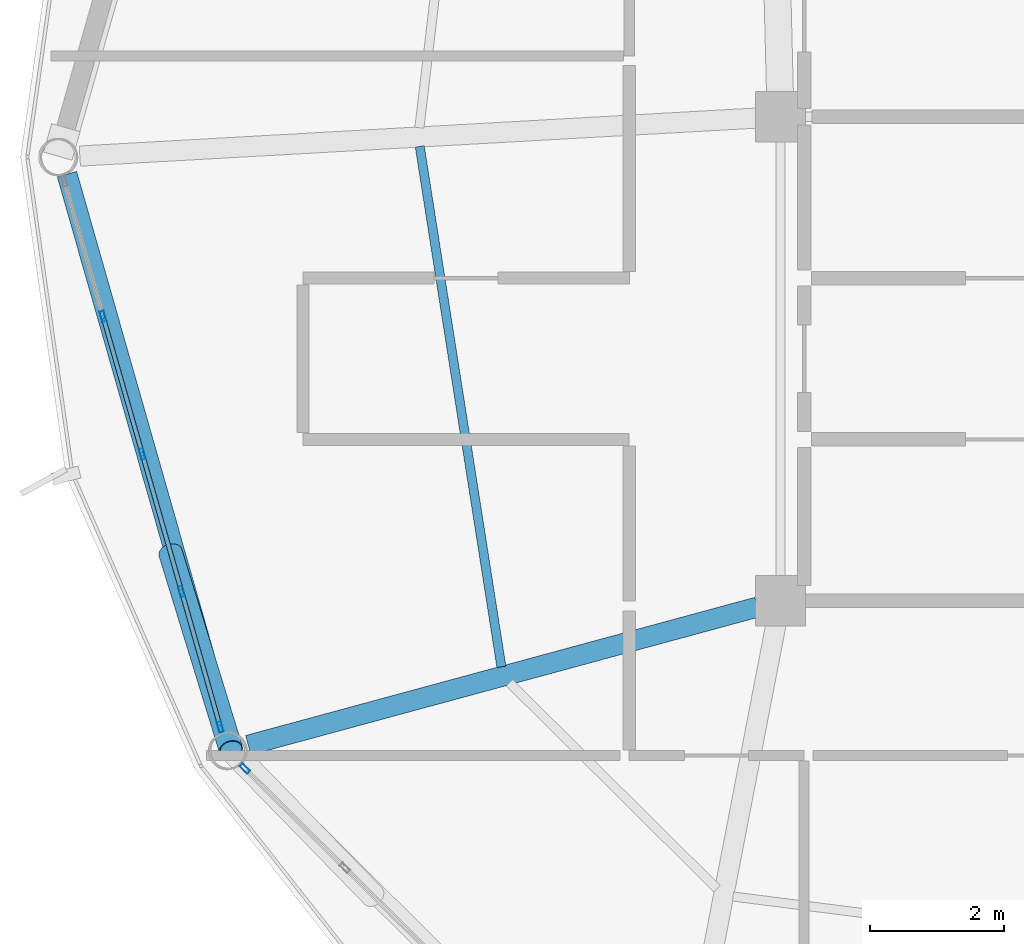
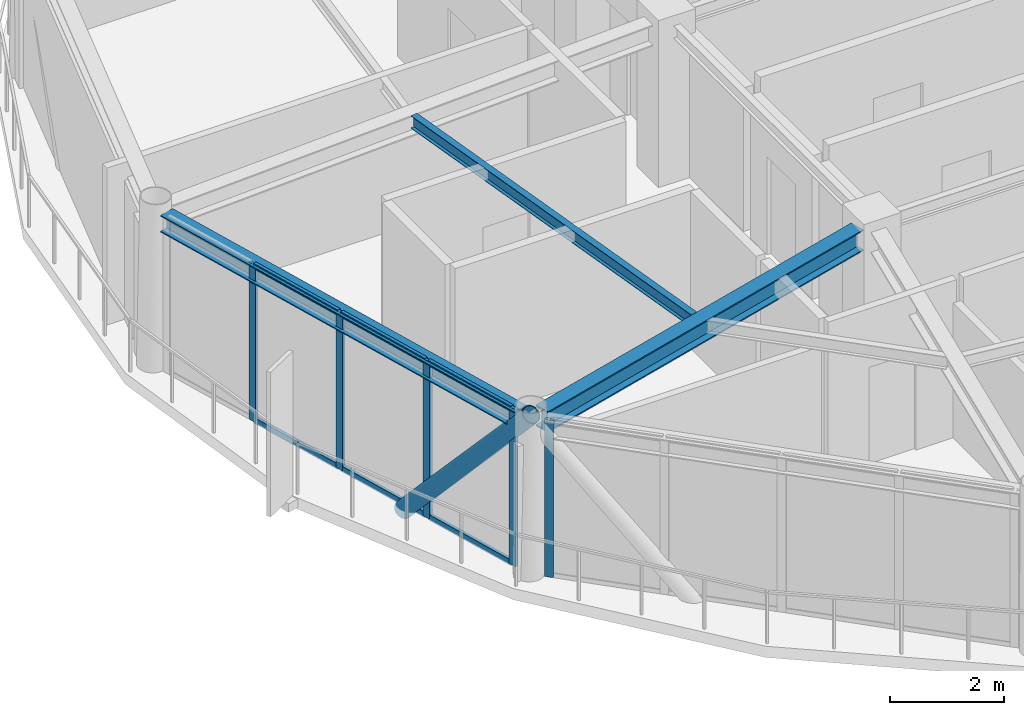
# One storey, part 4 of 25: 12 members, 3 beams, 2 elements without a shape of their own.
"""IFC4 building model written with IfcOpenShell, lengths in metres."""

from ifc_helpers import new_model, si_unit, direction, frame, origin, origin_2d, place, context, subcontext, project, spatial, hollow_rectangle, hollow_circle, i_section, extrude, material, layer, layer_set, material_profile, profile_set, type_object, element, aggregate, save


model = new_model("IFC4")

# Units and contexts
model_context = context("Model", 3, precision=1e-05, world=origin(), true_north=direction((0.0, 1.0)))
body_context = subcontext(model_context, "Body", "Model", "MODEL_VIEW")
ifc_project = project(units=[si_unit("LENGTHUNIT", "METRE"), si_unit("AREAUNIT", "SQUARE_METRE"), si_unit("VOLUMEUNIT", "CUBIC_METRE"), si_unit("PLANEANGLEUNIT", "RADIAN"), si_unit("MASSUNIT", "GRAM", prefix="KILO")], contexts=[model_context])

# Site, building, storey
site_placement = place(None, origin())
site = spatial("IfcSite", under=ifc_project, at=site_placement, CompositionType="ELEMENT")
building_placement = place(site_placement, origin())
building = spatial("IfcBuilding", under=site, at=building_placement, Name="Varnakorn Sky Granary", CompositionType="ELEMENT")
storey_placement = place(building_placement, frame((0.0, 0.0, 277.800048828125)))
storey = spatial("IfcBuildingStorey", under=building, at=storey_placement, Name="L71", CompositionType="ELEMENT", Elevation=277.800048828125)

# Beams
ifc_material_1 = material(Name="Steel S355JR", Category="steel")
ifc_material_profile_1 = material_profile(ifc_material_1, i_section(OverallWidth=0.300048828125, OverallDepth=0.449951171875, WebThickness=0.013916015625, FlangeThickness=0.02587890625, at=origin_2d()), Name="HE 450 B")
ifc_profile_set_1 = profile_set([ifc_material_profile_1], Name="Steel S355JR")
beam_type_1 = type_object("IfcBeamType", Name="BM-RAD-Z5", PredefinedType="BEAM", material=ifc_profile_set_1)
beam_1_placement = place(storey_placement, frame((-2.692626953125, -6.69287109375, 3.135009765625), z_axis=(-0.965124741935, -0.261790436237, 0.0), x_axis=(0.261790436237, -0.965124741935, 0.0)))
element("IfcBeam", 1, at=beam_1_placement, inside=storey, type_object=beam_type_1, Name="Radial Floor Girder RG08 L71", PredefinedType="BEAM", context=body_context, shape_type="SweptSolid", body=[
    extrude(i_section(OverallWidth=0.300048828125, OverallDepth=0.449951171875, WebThickness=0.013916015625, FlangeThickness=0.02587890625, at=origin_2d()), origin(), (0.0, 0.0, 1.0), 7.84765625),
])
ifc_material_profile_2 = material_profile(ifc_material_1, i_section(OverallWidth=0.135009765625, OverallDepth=0.27001953125, WebThickness=0.006591796875, FlangeThickness=0.01025390625, at=origin_2d()), Name="IPE 270")
ifc_profile_set_2 = profile_set([ifc_material_profile_2], Name="Steel S355JR")
beam_type_2 = type_object("IfcBeamType", Name="BM-SEC-Z5", PredefinedType="BEAM", material=ifc_profile_set_2)
beam_2_placement = place(storey_placement, frame((-7.7158203125, 0.1591796875, 3.224853515625), z_axis=(0.154978501589, -0.987917842761, 0.0), x_axis=(0.987917842761, 0.154978501589, 0.0)))
element("IfcBeam", 2, at=beam_2_placement, inside=storey, type_object=beam_type_2, Name="Secondary Floor Chord Beam MSB07 L71", PredefinedType="BEAM", context=body_context, shape_type="SweptSolid", body=[
    extrude(i_section(OverallWidth=0.135009765625, OverallDepth=0.27001953125, WebThickness=0.006591796875, FlangeThickness=0.01025390625, at=origin_2d()), origin(), (0.0, 0.0, 1.0), 7.835693359375),
])
ifc_material_profile_3 = material_profile(ifc_material_1, i_section(OverallWidth=0.300048828125, OverallDepth=0.360107421875, WebThickness=0.012451171875, FlangeThickness=0.0224609375, at=origin_2d()), Name="HE 360 B")
ifc_profile_set_3 = profile_set([ifc_material_profile_3], Name="Steel S355JR")
beam_type_3 = type_object("IfcBeamType", Name="BM-SPD-Z5", PredefinedType="SPANDREL", material=ifc_profile_set_3)
beam_3_placement = place(storey_placement, frame((-12.96240234375, -0.25439453125, 3.179931640625), z_axis=(0.274112641132, -0.961697592787, 0.0), x_axis=(0.961697592787, 0.274112641132, 0.0)))
element("IfcBeam", 3, at=beam_3_placement, inside=storey, type_object=beam_type_3, Name="Perimeter Spandrel Ring Beam RB07 L71", PredefinedType="SPANDREL", context=body_context, shape_type="SweptSolid", body=[
    extrude(i_section(OverallWidth=0.300048828125, OverallDepth=0.360107421875, WebThickness=0.012451171875, FlangeThickness=0.0224609375, at=origin_2d()), origin(), (0.0, 0.0, 1.0), 8.638427734375),
])

# Curtain wall, members
ifc_material_2 = material(Name="Anodised Bronze Aluminium Alloy 6063-T6", Category="aluminium")
ifc_layer = layer(ifc_material_2, 0.159912109375, Name="Anodised Bronze Aluminium Alloy 6063-T6")
ifc_layer_set = layer_set([ifc_layer], Name="Anodised Bronze Aluminium Alloy 6063-T6")
curtain_wall_type = type_object("IfcCurtainWallType", Name="CW-OFF-1", PredefinedType="USERDEFINED", material=ifc_layer_set)
curtain_wall_1_placement = place(storey_placement, origin())
curtain_wall_1 = element("IfcCurtainWall", 4, at=curtain_wall_1_placement, inside=storey, type_object=curtain_wall_type, Name="Unitised Curtain Wall CW6 CW-L71-B07", ObjectType="CURTAIN WALL", PredefinedType="USERDEFINED")
ifc_material_profile_4 = material_profile(ifc_material_2, hollow_rectangle(XDim=0.06494140625, YDim=0.159912109375, WallThickness=0.00341796875, at=origin_2d()), Name="ALU MULL 65x160")
ifc_profile_set_4 = profile_set([ifc_material_profile_4], Name="Anodised Bronze Aluminium Alloy 6063-T6")
member_type_1 = type_object("IfcMemberType", Name="CW-OFF-1-MULL", PredefinedType="MULLION", material=ifc_profile_set_4)
member_1_placement = place(storey_placement, frame((-10.682861328125, -8.475830078125, 0.0), z_axis=(0.0, 0.0, 1.0), x_axis=(-0.961570064627, -0.274559667128, 0.0)))
member_1 = element("IfcMember", 5, at=member_1_placement, type_object=member_type_1, Name="CW6 mullion 1", PredefinedType="MULLION", context=body_context, shape_type="SweptSolid", body=[
    extrude(hollow_rectangle(XDim=0.06494140625, YDim=0.159912109375, WallThickness=0.00341796875, at=origin_2d()), origin(), (0.0, 0.0, 1.0), 3.35986328125),
])
member_2_placement = place(storey_placement, frame((-11.258056640625, -6.4619140625, 0.0), z_axis=(0.0, 0.0, 1.0), x_axis=(-0.961570064627, -0.274559667128, 0.0)))
member_2 = element("IfcMember", 6, at=member_2_placement, type_object=member_type_1, Name="CW6 mullion 2", PredefinedType="MULLION", context=body_context, shape_type="SweptSolid", body=[
    extrude(hollow_rectangle(XDim=0.06494140625, YDim=0.159912109375, WallThickness=0.00341796875, at=origin_2d()), origin(), (0.0, 0.0, 1.0), 3.35986328125),
])
member_3_placement = place(storey_placement, frame((-11.841796875, -4.416748046875, 0.0), z_axis=(0.0, 0.0, 1.0), x_axis=(-0.961570064627, -0.274559667128, 0.0)))
member_3 = element("IfcMember", 7, at=member_3_placement, type_object=member_type_1, Name="CW6 mullion 3", PredefinedType="MULLION", context=body_context, shape_type="SweptSolid", body=[
    extrude(hollow_rectangle(XDim=0.06494140625, YDim=0.159912109375, WallThickness=0.00341796875, at=origin_2d()), origin(), (0.0, 0.0, 1.0), 3.35986328125),
])
member_4_placement = place(storey_placement, frame((-12.42578125, -2.37158203125, 0.0), z_axis=(0.0, 0.0, 1.0), x_axis=(-0.961570064627, -0.274559667128, 0.0)))
member_4 = element("IfcMember", 8, at=member_4_placement, type_object=member_type_1, Name="CW6 mullion 4", PredefinedType="MULLION", context=body_context, shape_type="SweptSolid", body=[
    extrude(hollow_rectangle(XDim=0.06494140625, YDim=0.159912109375, WallThickness=0.00341796875, at=origin_2d()), origin(), (0.0, 0.0, 1.0), 3.35986328125),
])

# Curtain wall, member
curtain_wall_2_placement = place(storey_placement, origin())
curtain_wall_2 = element("IfcCurtainWall", 9, at=curtain_wall_2_placement, inside=storey, type_object=curtain_wall_type, Name="Unitised Curtain Wall CW6 CW-L71-B08", ObjectType="CURTAIN WALL", PredefinedType="USERDEFINED")
member_5_placement = place(storey_placement, frame((-10.316650390625, -9.095458984375, 0.0), z_axis=(0.0, 0.0, 1.0), x_axis=(-0.704102293926, -0.71009855632, 0.0)))
member_5 = element("IfcMember", 10, at=member_5_placement, type_object=member_type_1, Name="CW6 mullion 5", PredefinedType="MULLION", context=body_context, shape_type="SweptSolid", body=[
    extrude(hollow_rectangle(XDim=0.06494140625, YDim=0.159912109375, WallThickness=0.00341796875, at=origin_2d()), origin(), (0.0, 0.0, 1.0), 3.35986328125),
])
aggregate(curtain_wall_2, [member_5])

# Member
ifc_material_profile_5 = material_profile(ifc_material_2, hollow_rectangle(XDim=0.06494140625, YDim=0.1201171875, WallThickness=0.00341796875, at=origin_2d()), Name="ALU TRAN 65x120")
ifc_profile_set_5 = profile_set([ifc_material_profile_5], Name="Anodised Bronze Aluminium Alloy 6063-T6")
member_type_2 = type_object("IfcMemberType", Name="CW-OFF-1-TRAN", PredefinedType="USERDEFINED", material=ifc_profile_set_5)
member_6_placement = place(storey_placement, frame((-10.69189453125, -8.444580078125, 0.032470703125), z_axis=(-0.274530454279, 0.96157840537, 0.0), x_axis=(-0.96157840537, -0.274530454279, 0.0)))
member_6 = element("IfcMember", 11, at=member_6_placement, type_object=member_type_2, Name="CW6 transom 1.1", ObjectType="TRANSOM", PredefinedType="USERDEFINED", context=body_context, shape_type="SweptSolid", body=[
    extrude(hollow_rectangle(XDim=0.06494140625, YDim=0.1201171875, WallThickness=0.00341796875, at=origin_2d()), origin(), (0.0, 0.0, 1.0), 2.029296875),
])

member_7_placement = place(storey_placement, frame((-10.69189453125, -8.444580078125, 3.327392578125), z_axis=(-0.274530454279, 0.96157840537, 0.0), x_axis=(-0.96157840537, -0.274530454279, 0.0)))
member_7 = element("IfcMember", 12, at=member_7_placement, type_object=member_type_2, Name="CW6 transom 1.2", ObjectType="TRANSOM", PredefinedType="USERDEFINED", context=body_context, shape_type="SweptSolid", body=[
    extrude(hollow_rectangle(XDim=0.06494140625, YDim=0.1201171875, WallThickness=0.00341796875, at=origin_2d()), origin(), (0.0, 0.0, 1.0), 2.029296875),
])

member_8_placement = place(storey_placement, frame((-11.266845703125, -6.4306640625, 0.032470703125), z_axis=(-0.274580379806, 0.961564150239, 0.0), x_axis=(-0.961564150239, -0.274580379806, 0.0)))
member_8 = element("IfcMember", 13, at=member_8_placement, type_object=member_type_2, Name="CW6 transom 2.1", ObjectType="TRANSOM", PredefinedType="USERDEFINED", context=body_context, shape_type="SweptSolid", body=[
    extrude(hollow_rectangle(XDim=0.06494140625, YDim=0.1201171875, WallThickness=0.00341796875, at=origin_2d()), origin(), (0.0, 0.0, 1.0), 2.06201171875),
])

member_9_placement = place(storey_placement, frame((-11.266845703125, -6.4306640625, 3.327392578125), z_axis=(-0.274580379806, 0.961564150239, 0.0), x_axis=(-0.961564150239, -0.274580379806, 0.0)))
member_9 = element("IfcMember", 14, at=member_9_placement, type_object=member_type_2, Name="CW6 transom 2.2", ObjectType="TRANSOM", PredefinedType="USERDEFINED", context=body_context, shape_type="SweptSolid", body=[
    extrude(hollow_rectangle(XDim=0.06494140625, YDim=0.1201171875, WallThickness=0.00341796875, at=origin_2d()), origin(), (0.0, 0.0, 1.0), 2.06201171875),
])

member_10_placement = place(storey_placement, frame((-11.850830078125, -4.385498046875, 0.032470703125), z_axis=(-0.274580379806, 0.961564150239, 0.0), x_axis=(-0.961564150239, -0.274580379806, 0.0)))
member_10 = element("IfcMember", 15, at=member_10_placement, type_object=member_type_2, Name="CW6 transom 3.1", ObjectType="TRANSOM", PredefinedType="USERDEFINED", context=body_context, shape_type="SweptSolid", body=[
    extrude(hollow_rectangle(XDim=0.06494140625, YDim=0.1201171875, WallThickness=0.00341796875, at=origin_2d()), origin(), (0.0, 0.0, 1.0), 2.06201171875),
])

member_11_placement = place(storey_placement, frame((-11.850830078125, -4.385498046875, 3.327392578125), z_axis=(-0.274580379806, 0.961564150239, 0.0), x_axis=(-0.961564150239, -0.274580379806, 0.0)))
member_11 = element("IfcMember", 16, at=member_11_placement, type_object=member_type_2, Name="CW6 transom 3.2", ObjectType="TRANSOM", PredefinedType="USERDEFINED", context=body_context, shape_type="SweptSolid", body=[
    extrude(hollow_rectangle(XDim=0.06494140625, YDim=0.1201171875, WallThickness=0.00341796875, at=origin_2d()), origin(), (0.0, 0.0, 1.0), 2.06201171875),
])

aggregate(curtain_wall_1, [member_1, member_2, member_3, member_4, member_6, member_7, member_8, member_9, member_10, member_11])

ifc_material_3 = material(Name="Steel S460M", Category="steel")
ifc_material_profile_6 = material_profile(ifc_material_3, hollow_circle(Radius=0.177734375, WallThickness=0.01416015625, at=origin_2d()), Name="CHS 355.6x14")
ifc_profile_set_6 = profile_set([ifc_material_profile_6], Name="Steel S460M")
member_type_3 = type_object("IfcMemberType", Name="MB-DIAG-T5", PredefinedType="BRACE", material=ifc_profile_set_6)
member_12_placement = place(storey_placement, frame((-11.42138671875, -5.888916015625, -0.130126953125), z_axis=(0.193706230063, -0.630491695083, 0.751636959487), x_axis=(0.955903025738, 0.29368249077, 0.0)))
element("IfcMember", 17, at=member_12_placement, inside=storey, type_object=member_type_3, Name="Perimeter CHS Diagrid Brace DG07 L71", PredefinedType="BRACE", context=body_context, shape_type="SweptSolid", body=[
    extrude(hollow_circle(Radius=0.177734375, WallThickness=0.01416015625, at=origin_2d()), origin(), (0.0, 0.0, 1.0), 4.64306640625),
])

save(model, "model.ifc")
